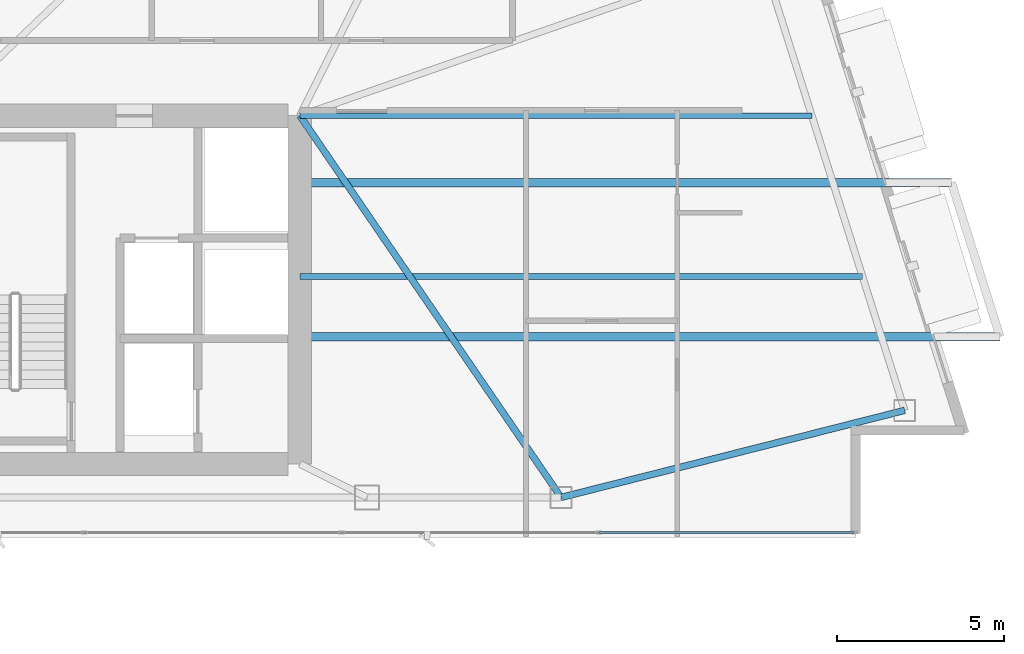
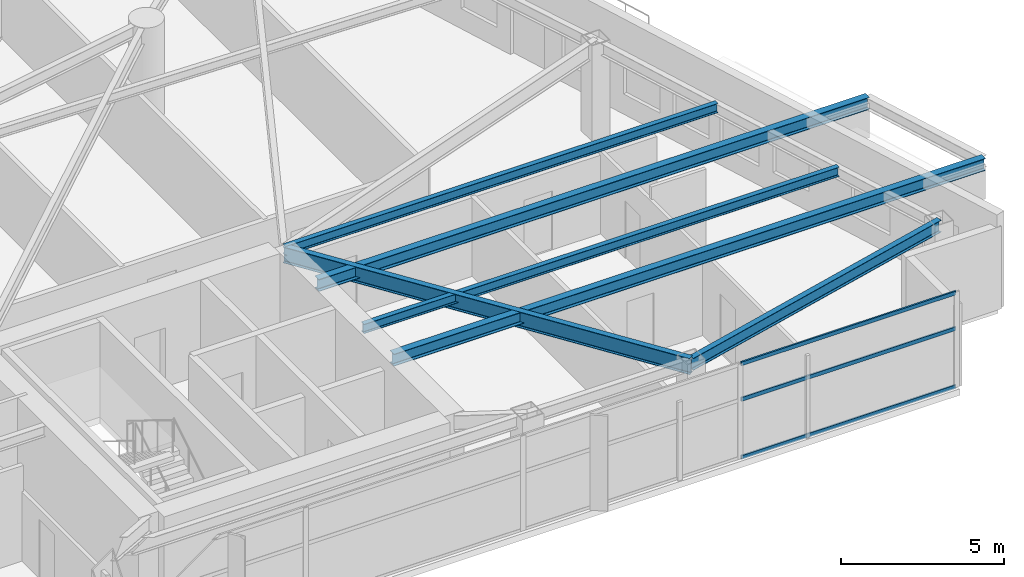
# One storey, part 13 of 29: 6 beams, 3 members, 1 element without a shape of its own.
"""IFC4 building model written with IfcOpenShell, lengths in metres."""

from ifc_helpers import new_model, si_unit, direction, frame, origin, origin_2d, place, context, subcontext, project, spatial, hollow_rectangle, i_section, extrude, material, layer, layer_set, material_profile, profile_set, type_object, element, aggregate, save


model = new_model("IFC4")

# Units and contexts
model_context = context("Model", 3, precision=1e-05, world=origin(), true_north=direction((0.0, 1.0)))
body_context = subcontext(model_context, "Body", "Model", "MODEL_VIEW")
ifc_project = project(units=[si_unit("LENGTHUNIT", "METRE"), si_unit("AREAUNIT", "SQUARE_METRE"), si_unit("VOLUMEUNIT", "CUBIC_METRE"), si_unit("PLANEANGLEUNIT", "RADIAN"), si_unit("MASSUNIT", "GRAM", prefix="KILO")], contexts=[model_context])

# Site, building, storey
site_placement = place(None, origin())
site = spatial("IfcSite", under=ifc_project, at=site_placement, CompositionType="ELEMENT")
building_placement = place(site_placement, origin())
building = spatial("IfcBuilding", under=site, at=building_placement, Name="Calvorn Quay Hotel", CompositionType="ELEMENT")
storey_placement = place(building_placement, frame((0.0, 0.0, 211.0)))
storey = spatial("IfcBuildingStorey", under=building, at=storey_placement, Name="L52", CompositionType="ELEMENT", Elevation=211.0)

# Beams
ifc_material_1 = material(Name="Steel Q355B", Category="steel")
ifc_material_profile_1 = material_profile(ifc_material_1, i_section(OverallWidth=0.25, OverallDepth=0.449951171875, WebThickness=0.011962890625, FlangeThickness=0.01611328125, FilletRadius=0.01611328125, at=origin_2d()), Name="HN450x250x12x16")
ifc_profile_set_1 = profile_set([ifc_material_profile_1], Name="Steel Q355B")
beam_type_1 = type_object("IfcBeamType", Name="BM-CANT-BALC", PredefinedType="BEAM", material=ifc_profile_set_1)
beam_1_placement = place(storey_placement, frame((32.39990234375, 8.39990234375, 3.31494140625), z_axis=(1.0, 0.0, 0.0), x_axis=(0.0, 1.0, 0.0)))
element("IfcBeam", 1, at=beam_1_placement, inside=storey, type_object=beam_type_1, Name="Cantilever Balcony Beam BCB-L53-1A", PredefinedType="BEAM", context=body_context, shape_type="SweptSolid", body=[
    extrude(i_section(OverallWidth=0.25, OverallDepth=0.449951171875, WebThickness=0.011962890625, FlangeThickness=0.01611328125, FilletRadius=0.01611328125, at=origin_2d()), origin(), (0.0, 0.0, 1.0), 20.908203125),
])
beam_2_placement = place(storey_placement, frame((32.39990234375, 13.0, 3.31494140625), z_axis=(1.0, 0.0, 0.0), x_axis=(0.0, 1.0, 0.0)))
element("IfcBeam", 2, at=beam_2_placement, inside=storey, type_object=beam_type_1, Name="Cantilever Balcony Beam BCB-L53-1B", PredefinedType="BEAM", context=body_context, shape_type="SweptSolid", body=[
    extrude(i_section(OverallWidth=0.25, OverallDepth=0.449951171875, WebThickness=0.011962890625, FlangeThickness=0.01611328125, FilletRadius=0.01611328125, at=origin_2d()), origin(), (0.0, 0.0, 1.0), 19.4580078125),
])
ifc_material_2 = material(Name="Steel Q355B", Category="steel")
ifc_material_profile_2 = material_profile(ifc_material_2, i_section(OverallWidth=0.199951171875, OverallDepth=0.60009765625, WebThickness=0.010986328125, FlangeThickness=0.01708984375, FilletRadius=0.01806640625, at=origin_2d()), Name="HN600x200x11x17")
ifc_profile_set_2 = profile_set([ifc_material_profile_2], Name="Steel Q355B")
beam_type_2 = type_object("IfcBeamType", Name="BM-GIRD-TYP", PredefinedType="BEAM", material=ifc_profile_set_2)
beam_3_placement = place(storey_placement, frame((40.199951171875, 3.60009765625, 3.239990234375), z_axis=(-0.564689618177, 0.825303359452, 0.0), x_axis=(-0.825303359452, -0.564689618177, 0.0)))
element("IfcBeam", 3, at=beam_3_placement, inside=storey, type_object=beam_type_2, Name="Beam BG-L52-E6", PredefinedType="BEAM", context=body_context, shape_type="SweptSolid", body=[
    extrude(i_section(OverallWidth=0.199951171875, OverallDepth=0.60009765625, WebThickness=0.010986328125, FlangeThickness=0.01708984375, FilletRadius=0.01806640625, at=origin_2d()), origin(), (0.0, 0.0, 1.0), 13.81298828125),
])
ifc_material_3 = material(Name="Steel Q355B", Category="steel")
ifc_material_profile_3 = material_profile(ifc_material_3, i_section(OverallWidth=0.175048828125, OverallDepth=0.35009765625, WebThickness=0.007080078125, FlangeThickness=0.010986328125, FilletRadius=0.013916015625, at=origin_2d()), Name="HN350x175x7x11")
ifc_profile_set_3 = profile_set([ifc_material_profile_3], Name="Steel Q355B")
beam_type_3 = type_object("IfcBeamType", Name="BM-JOIST-SEC", PredefinedType="JOIST", material=ifc_profile_set_3)
beam_4_placement = place(storey_placement, frame((32.39990234375, 10.199951171875, 3.364990234375), z_axis=(1.0, 0.0, 0.0), x_axis=(0.0, 1.0, 0.0)))
element("IfcBeam", 4, at=beam_4_placement, inside=storey, type_object=beam_type_3, Name="Beam BJ-L52-E1", PredefinedType="JOIST", context=body_context, shape_type="SweptSolid", body=[
    extrude(i_section(OverallWidth=0.175048828125, OverallDepth=0.35009765625, WebThickness=0.007080078125, FlangeThickness=0.010986328125, FilletRadius=0.013916015625, at=origin_2d()), origin(), (0.0, 0.0, 1.0), 16.801025390625),
])
beam_5_placement = place(storey_placement, frame((32.39990234375, 15.0, 3.364990234375), z_axis=(1.0, 0.0, 0.0), x_axis=(0.0, 1.0, 0.0)))
element("IfcBeam", 5, at=beam_5_placement, inside=storey, type_object=beam_type_3, Name="Beam BJ-L52-E2", PredefinedType="JOIST", context=body_context, shape_type="SweptSolid", body=[
    extrude(i_section(OverallWidth=0.175048828125, OverallDepth=0.35009765625, WebThickness=0.007080078125, FlangeThickness=0.010986328125, FilletRadius=0.013916015625, at=origin_2d()), origin(), (0.0, 0.0, 1.0), 15.2880859375),
])
ifc_material_4 = material(Name="Steel Q355B", Category="steel")
ifc_material_profile_4 = material_profile(ifc_material_4, i_section(OverallWidth=0.199951171875, OverallDepth=0.449951171875, WebThickness=0.009033203125, FlangeThickness=0.013916015625, FilletRadius=0.01611328125, at=origin_2d()), Name="HN450x200x9x14")
ifc_profile_set_4 = profile_set([ifc_material_profile_4], Name="Steel Q355B")
beam_type_4 = type_object("IfcBeamType", Name="BM-SPANDREL-Z3", PredefinedType="SPANDREL", material=ifc_profile_set_4)
beam_6_placement = place(storey_placement, frame((40.199951171875, 3.60009765625, 3.31494140625), z_axis=(0.969368358966, 0.245611450537, 0.0), x_axis=(-0.245611450537, 0.969368358966, 0.0)))
element("IfcBeam", 6, at=beam_6_placement, inside=storey, type_object=beam_type_4, Name="Beam BSP-L52-S5", PredefinedType="SPANDREL", context=body_context, shape_type="SweptSolid", body=[
    extrude(i_section(OverallWidth=0.199951171875, OverallDepth=0.449951171875, WebThickness=0.009033203125, FlangeThickness=0.013916015625, FilletRadius=0.01611328125, at=origin_2d()), origin(), (0.0, 0.0, 1.0), 10.585205078125),
])

# Curtain wall, members
ifc_material_5 = material(Name="Champagne Bronze Anodised Aluminium and Low-E Glass", Category="aluminium")
ifc_layer = layer(ifc_material_5, 0.219970703125)
ifc_layer_set = layer_set([ifc_layer], Name="CW-SYS-Z3")
curtain_wall_type = type_object("IfcCurtainWallType", Name="CW-SYS-Z3", PredefinedType="NOTDEFINED", material=ifc_layer_set)
curtain_wall_placement = place(storey_placement, origin())
curtain_wall = element("IfcCurtainWall", 7, at=curtain_wall_placement, inside=storey, type_object=curtain_wall_type, Name="Tower South Waterfront Curtain Wall (L52)", PredefinedType="NOTDEFINED")
ifc_material_6 = material(Name="Champagne Bronze Anodised Aluminium 6063-T6", Category="aluminium")
ifc_material_profile_5 = material_profile(ifc_material_6, hollow_rectangle(XDim=0.05810546875, YDim=0.139892578125, WallThickness=0.003173828125, at=origin_2d()), Name="ALU-T140x58x3.2")
ifc_profile_set_5 = profile_set([ifc_material_profile_5], Name="Champagne Bronze Anodised Aluminium 6063-T6")
member_type = type_object("IfcMemberType", Name="CW-SYS-Z3-TRN", PredefinedType="USERDEFINED", material=ifc_profile_set_5)
member_1_placement = place(storey_placement, frame((41.35009765625, 2.550048828125, 0.030029296875), z_axis=(1.0, 0.0, 0.0), x_axis=(0.0, 1.0, 0.0)))
member_1 = element("IfcMember", 8, at=member_1_placement, type_object=member_type, Name="CW-L52-S transom 5.1", ObjectType="TRANSOM", PredefinedType="USERDEFINED", context=body_context, shape_type="SweptSolid", body=[
    extrude(hollow_rectangle(XDim=0.05810546875, YDim=0.139892578125, WallThickness=0.003173828125, at=origin_2d()), origin(), (0.0, 0.0, 1.0), 7.58984375),
])
member_2_placement = place(storey_placement, frame((41.35009765625, 2.550048828125, 2.199951171875), z_axis=(1.0, 0.0, 0.0), x_axis=(0.0, 1.0, 0.0)))
member_2 = element("IfcMember", 9, at=member_2_placement, type_object=member_type, Name="CW-L52-S transom 5.2", ObjectType="TRANSOM", PredefinedType="USERDEFINED", context=body_context, shape_type="SweptSolid", body=[
    extrude(hollow_rectangle(XDim=0.05810546875, YDim=0.139892578125, WallThickness=0.003173828125, at=origin_2d()), origin(), (0.0, 0.0, 1.0), 7.58984375),
])
member_3_placement = place(storey_placement, frame((41.35009765625, 2.550048828125, 3.530029296875), z_axis=(1.0, 0.0, 0.0), x_axis=(0.0, 1.0, 0.0)))
member_3 = element("IfcMember", 10, at=member_3_placement, type_object=member_type, Name="CW-L52-S transom 5.3", ObjectType="TRANSOM", PredefinedType="USERDEFINED", context=body_context, shape_type="SweptSolid", body=[
    extrude(hollow_rectangle(XDim=0.05810546875, YDim=0.139892578125, WallThickness=0.003173828125, at=origin_2d()), origin(), (0.0, 0.0, 1.0), 7.58984375),
])
aggregate(curtain_wall, [member_1, member_2, member_3])

save(model, "model.ifc")
